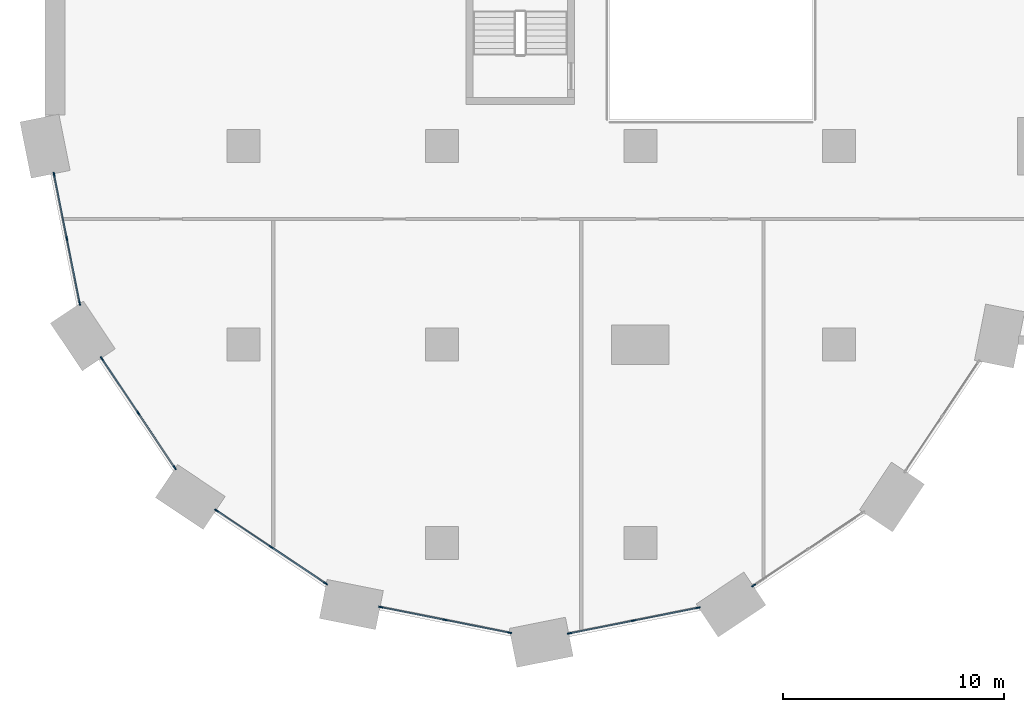
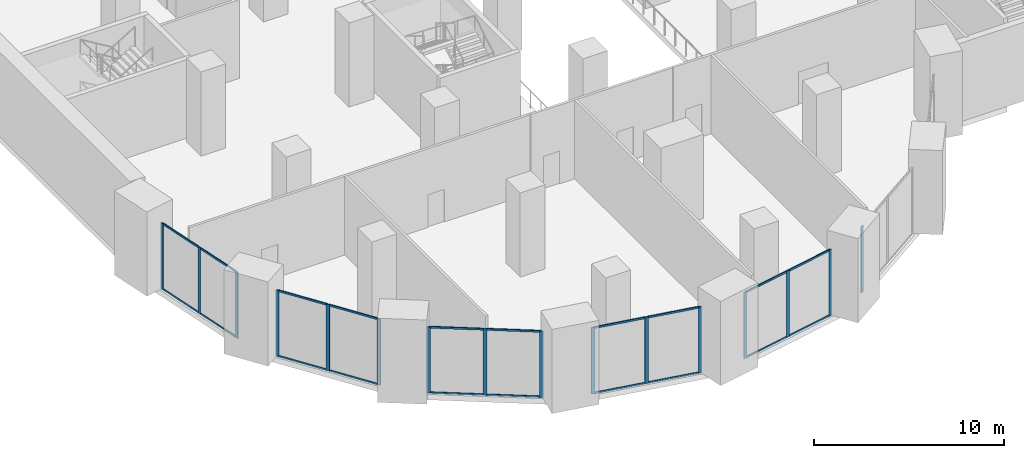
# One storey, part 3 of 43: 36 members, 6 elements without a shape of their own.
"""IFC4 building model written with IfcOpenShell, lengths in metres."""

from ifc_helpers import new_model, si_unit, direction, frame, origin, origin_2d, place, context, subcontext, project, spatial, rectangle, extrude, material, material_profile, profile_set, type_object, element, aggregate, save


model = new_model("IFC4")

# Units and contexts
model_context = context("Model", 3, precision=1e-05, world=origin(), true_north=direction((0.0, 1.0)))
body_context = subcontext(model_context, "Body", "Model", "MODEL_VIEW")
ifc_project = project(units=[si_unit("LENGTHUNIT", "METRE"), si_unit("AREAUNIT", "SQUARE_METRE"), si_unit("VOLUMEUNIT", "CUBIC_METRE"), si_unit("PLANEANGLEUNIT", "RADIAN"), si_unit("MASSUNIT", "GRAM", prefix="KILO")], contexts=[model_context])

# Site, building, storey
site_placement = place(None, origin())
site = spatial("IfcSite", under=ifc_project, at=site_placement, CompositionType="ELEMENT")
building_placement = place(site_placement, origin())
building = spatial("IfcBuilding", under=site, at=building_placement, Name="Hunhe Ridgeline Campus", CompositionType="ELEMENT")
storey_placement = place(building_placement, frame((0.0, 0.0, 11.39990234375)))
storey = spatial("IfcBuildingStorey", under=building, at=storey_placement, Name="L02", CompositionType="ELEMENT", Elevation=11.39990234375)

# Curtain wall, members
ifc_material_1 = material(Name="Aluminium and glass", Category="aluminium")
curtain_wall_type = type_object("IfcCurtainWallType", Name="Podium curtain wall CW-2", PredefinedType="NOTDEFINED", material=ifc_material_1)
curtain_wall_1_placement = place(storey_placement, origin())
curtain_wall_1 = element("IfcCurtainWall", 1, at=curtain_wall_1_placement, inside=storey, type_object=curtain_wall_type, Name="L02 podium curtain wall 9", PredefinedType="NOTDEFINED")
ifc_material_2 = material(Name="Aluminium", Category="aluminium")
ifc_material_profile_1 = material_profile(ifc_material_2, rectangle(XDim=0.06005859375, YDim=0.199951171875, at=origin_2d()))
ifc_profile_set_1 = profile_set([ifc_material_profile_1], Name="Aluminium")
member_type_1 = type_object("IfcMemberType", Name="CW-2 mullion 60x200", PredefinedType="MULLION", material=ifc_profile_set_1)
member_1_placement = place(storey_placement, frame((0.406494140625, 25.724853515625, 0.0), z_axis=(0.0, 0.0, 1.0), x_axis=(0.98078366193, 0.195098458454, 0.0)))
member_1 = element("IfcMember", 2, at=member_1_placement, type_object=member_type_1, Name="CW2 mullion 1", PredefinedType="MULLION", context=body_context, shape_type="SweptSolid", body=[
    extrude(rectangle(XDim=0.06005859375, YDim=0.199951171875, at=origin_2d()), origin(), (0.0, 0.0, 1.0), 4.25),
])
member_2_placement = place(storey_placement, frame((0.987060546875, 22.80712890625, 0.0), z_axis=(0.0, 0.0, 1.0), x_axis=(0.98078366193, 0.195098458454, 0.0)))
member_2 = element("IfcMember", 3, at=member_2_placement, type_object=member_type_1, Name="CW2 mullion 2", PredefinedType="MULLION", context=body_context, shape_type="SweptSolid", body=[
    extrude(rectangle(XDim=0.06005859375, YDim=0.199951171875, at=origin_2d()), origin(), (0.0, 0.0, 1.0), 4.25),
])
member_3_placement = place(storey_placement, frame((1.5673828125, 19.889404296875, 0.0), z_axis=(0.0, 0.0, 1.0), x_axis=(0.98078366193, 0.195098458454, 0.0)))
member_3 = element("IfcMember", 4, at=member_3_placement, type_object=member_type_1, Name="CW2 mullion 3", PredefinedType="MULLION", context=body_context, shape_type="SweptSolid", body=[
    extrude(rectangle(XDim=0.06005859375, YDim=0.199951171875, at=origin_2d()), origin(), (0.0, 0.0, 1.0), 4.25),
])

curtain_wall_2_placement = place(storey_placement, origin())
curtain_wall_2 = element("IfcCurtainWall", 5, at=curtain_wall_2_placement, inside=storey, type_object=curtain_wall_type, Name="L02 podium curtain wall 10", PredefinedType="NOTDEFINED")
member_4_placement = place(storey_placement, frame((2.576416015625, 17.366943359375, 0.0), z_axis=(0.0, 0.0, 1.0), x_axis=(0.831463604177, 0.555579224709, 0.0)))
member_4 = element("IfcMember", 6, at=member_4_placement, type_object=member_type_1, Name="CW2 mullion 1", PredefinedType="MULLION", context=body_context, shape_type="SweptSolid", body=[
    extrude(rectangle(XDim=0.06005859375, YDim=0.199951171875, at=origin_2d()), origin(), (0.0, 0.0, 1.0), 4.25),
])
member_5_placement = place(storey_placement, frame((4.229248046875, 14.8935546875, 0.0), z_axis=(0.0, 0.0, 1.0), x_axis=(0.831463604177, 0.555579224709, 0.0)))
member_5 = element("IfcMember", 7, at=member_5_placement, type_object=member_type_1, Name="CW2 mullion 2", PredefinedType="MULLION", context=body_context, shape_type="SweptSolid", body=[
    extrude(rectangle(XDim=0.06005859375, YDim=0.199951171875, at=origin_2d()), origin(), (0.0, 0.0, 1.0), 4.25),
])
member_6_placement = place(storey_placement, frame((5.8818359375, 12.419921875, 0.0), z_axis=(0.0, 0.0, 1.0), x_axis=(0.831463604177, 0.555579224709, 0.0)))
member_6 = element("IfcMember", 8, at=member_6_placement, type_object=member_type_1, Name="CW2 mullion 3", PredefinedType="MULLION", context=body_context, shape_type="SweptSolid", body=[
    extrude(rectangle(XDim=0.06005859375, YDim=0.199951171875, at=origin_2d()), origin(), (0.0, 0.0, 1.0), 4.25),
])

curtain_wall_3_placement = place(storey_placement, origin())
curtain_wall_3 = element("IfcCurtainWall", 9, at=curtain_wall_3_placement, inside=storey, type_object=curtain_wall_type, Name="L02 podium curtain wall 11", PredefinedType="NOTDEFINED")
member_7_placement = place(storey_placement, frame((7.779296875, 10.475830078125, 0.0), z_axis=(0.0, 0.0, 1.0), x_axis=(0.555571538247, 0.831468740176, 0.0)))
member_7 = element("IfcMember", 10, at=member_7_placement, type_object=member_type_1, Name="CW2 mullion 1", PredefinedType="MULLION", context=body_context, shape_type="SweptSolid", body=[
    extrude(rectangle(XDim=0.06005859375, YDim=0.199951171875, at=origin_2d()), origin(), (0.0, 0.0, 1.0), 4.25),
])
member_8_placement = place(storey_placement, frame((10.252685546875, 8.8232421875, 0.0), z_axis=(0.0, 0.0, 1.0), x_axis=(0.555571538247, 0.831468740176, 0.0)))
member_8 = element("IfcMember", 11, at=member_8_placement, type_object=member_type_1, Name="CW2 mullion 2", PredefinedType="MULLION", context=body_context, shape_type="SweptSolid", body=[
    extrude(rectangle(XDim=0.06005859375, YDim=0.199951171875, at=origin_2d()), origin(), (0.0, 0.0, 1.0), 4.25),
])
member_9_placement = place(storey_placement, frame((12.726318359375, 7.17041015625, 0.0), z_axis=(0.0, 0.0, 1.0), x_axis=(0.555571538247, 0.831468740176, 0.0)))
member_9 = element("IfcMember", 12, at=member_9_placement, type_object=member_type_1, Name="CW2 mullion 3", PredefinedType="MULLION", context=body_context, shape_type="SweptSolid", body=[
    extrude(rectangle(XDim=0.06005859375, YDim=0.199951171875, at=origin_2d()), origin(), (0.0, 0.0, 1.0), 4.25),
])

curtain_wall_4_placement = place(storey_placement, origin())
curtain_wall_4 = element("IfcCurtainWall", 13, at=curtain_wall_4_placement, inside=storey, type_object=curtain_wall_type, Name="L02 podium curtain wall 12", PredefinedType="NOTDEFINED")
member_10_placement = place(storey_placement, frame((15.223388671875, 6.100341796875, 0.0), z_axis=(0.0, 0.0, 1.0), x_axis=(0.195079268527, 0.980787479014, 0.0)))
member_10 = element("IfcMember", 14, at=member_10_placement, type_object=member_type_1, Name="CW2 mullion 1", PredefinedType="MULLION", context=body_context, shape_type="SweptSolid", body=[
    extrude(rectangle(XDim=0.06005859375, YDim=0.199951171875, at=origin_2d()), origin(), (0.0, 0.0, 1.0), 4.25),
])
member_11_placement = place(storey_placement, frame((18.14111328125, 5.52001953125, 0.0), z_axis=(0.0, 0.0, 1.0), x_axis=(0.195079268527, 0.980787479014, 0.0)))
member_11 = element("IfcMember", 15, at=member_11_placement, type_object=member_type_1, Name="CW2 mullion 2", PredefinedType="MULLION", context=body_context, shape_type="SweptSolid", body=[
    extrude(rectangle(XDim=0.06005859375, YDim=0.199951171875, at=origin_2d()), origin(), (0.0, 0.0, 1.0), 4.25),
])
member_12_placement = place(storey_placement, frame((21.058837890625, 4.939697265625, 0.0), z_axis=(0.0, 0.0, 1.0), x_axis=(0.195079268527, 0.980787479014, 0.0)))
member_12 = element("IfcMember", 16, at=member_12_placement, type_object=member_type_1, Name="CW2 mullion 3", PredefinedType="MULLION", context=body_context, shape_type="SweptSolid", body=[
    extrude(rectangle(XDim=0.06005859375, YDim=0.199951171875, at=origin_2d()), origin(), (0.0, 0.0, 1.0), 4.25),
])

curtain_wall_5_placement = place(storey_placement, origin())
curtain_wall_5 = element("IfcCurtainWall", 17, at=curtain_wall_5_placement, inside=storey, type_object=curtain_wall_type, Name="L02 podium curtain wall 13", PredefinedType="NOTDEFINED")
member_13_placement = place(storey_placement, frame((23.775146484375, 4.906494140625, 0.0), z_axis=(0.0, 0.0, 1.0), x_axis=(-0.195098458454, 0.98078366193, 0.0)))
member_13 = element("IfcMember", 18, at=member_13_placement, type_object=member_type_1, Name="CW2 mullion 1", PredefinedType="MULLION", context=body_context, shape_type="SweptSolid", body=[
    extrude(rectangle(XDim=0.06005859375, YDim=0.199951171875, at=origin_2d()), origin(), (0.0, 0.0, 1.0), 4.25),
])
member_14_placement = place(storey_placement, frame((26.69287109375, 5.487060546875, 0.0), z_axis=(0.0, 0.0, 1.0), x_axis=(-0.195098458454, 0.98078366193, 0.0)))
member_14 = element("IfcMember", 19, at=member_14_placement, type_object=member_type_1, Name="CW2 mullion 2", PredefinedType="MULLION", context=body_context, shape_type="SweptSolid", body=[
    extrude(rectangle(XDim=0.06005859375, YDim=0.199951171875, at=origin_2d()), origin(), (0.0, 0.0, 1.0), 4.25),
])
member_15_placement = place(storey_placement, frame((29.610595703125, 6.0673828125, 0.0), z_axis=(0.0, 0.0, 1.0), x_axis=(-0.195098458454, 0.98078366193, 0.0)))
member_15 = element("IfcMember", 20, at=member_15_placement, type_object=member_type_1, Name="CW2 mullion 3", PredefinedType="MULLION", context=body_context, shape_type="SweptSolid", body=[
    extrude(rectangle(XDim=0.06005859375, YDim=0.199951171875, at=origin_2d()), origin(), (0.0, 0.0, 1.0), 4.25),
])

# Curtain wall, member
curtain_wall_6_placement = place(storey_placement, origin())
curtain_wall_6 = element("IfcCurtainWall", 21, at=curtain_wall_6_placement, inside=storey, type_object=curtain_wall_type, Name="L02 podium curtain wall 14", PredefinedType="NOTDEFINED")
member_16_placement = place(storey_placement, frame((32.133056640625, 7.076416015625, 0.0), z_axis=(0.0, 0.0, 1.0), x_axis=(-0.555579224709, 0.831463604177, 0.0)))
member_16 = element("IfcMember", 22, at=member_16_placement, type_object=member_type_1, Name="CW2 mullion 1", PredefinedType="MULLION", context=body_context, shape_type="SweptSolid", body=[
    extrude(rectangle(XDim=0.06005859375, YDim=0.199951171875, at=origin_2d()), origin(), (0.0, 0.0, 1.0), 4.25),
])
aggregate(curtain_wall_6, [member_16])

# Member
ifc_material_profile_2 = material_profile(ifc_material_2, rectangle(XDim=0.06005859375, YDim=0.1201171875, at=origin_2d()))
ifc_profile_set_2 = profile_set([ifc_material_profile_2], Name="Aluminium")
member_type_2 = type_object("IfcMemberType", Name="CW-2 transom 60x120", PredefinedType="USERDEFINED", material=ifc_profile_set_2)
member_17_placement = place(storey_placement, frame((0.412353515625, 25.6953125, 0.030029296875), z_axis=(0.195149633653, -0.980773480721, 0.0), x_axis=(0.980773480721, 0.195149633653, 0.0)))
member_17 = element("IfcMember", 23, at=member_17_placement, type_object=member_type_2, Name="CW2 transom 1.1", ObjectType="TRANSOM", PredefinedType="USERDEFINED", context=body_context, shape_type="SweptSolid", body=[
    extrude(rectangle(XDim=0.06005859375, YDim=0.1201171875, at=origin_2d()), origin(), (0.0, 0.0, 1.0), 2.9150390625),
])

member_18_placement = place(storey_placement, frame((0.412353515625, 25.6953125, 4.22021484375), z_axis=(0.195149633653, -0.980773480721, 0.0), x_axis=(0.980773480721, 0.195149633653, 0.0)))
member_18 = element("IfcMember", 24, at=member_18_placement, type_object=member_type_2, Name="CW2 transom 1.2", ObjectType="TRANSOM", PredefinedType="USERDEFINED", context=body_context, shape_type="SweptSolid", body=[
    extrude(rectangle(XDim=0.06005859375, YDim=0.1201171875, at=origin_2d()), origin(), (0.0, 0.0, 1.0), 2.9150390625),
])

member_19_placement = place(storey_placement, frame((0.992919921875, 22.777587890625, 0.030029296875), z_axis=(0.195069066152, -0.980789508218, 0.0), x_axis=(0.980789508218, 0.195069066152, 0.0)))
member_19 = element("IfcMember", 25, at=member_19_placement, type_object=member_type_2, Name="CW2 transom 2.1", ObjectType="TRANSOM", PredefinedType="USERDEFINED", context=body_context, shape_type="SweptSolid", body=[
    extrude(rectangle(XDim=0.06005859375, YDim=0.1201171875, at=origin_2d()), origin(), (0.0, 0.0, 1.0), 2.914794921875),
])

member_20_placement = place(storey_placement, frame((0.992919921875, 22.777587890625, 4.22021484375), z_axis=(0.195069066152, -0.980789508218, 0.0), x_axis=(0.980789508218, 0.195069066152, 0.0)))
member_20 = element("IfcMember", 26, at=member_20_placement, type_object=member_type_2, Name="CW2 transom 2.2", ObjectType="TRANSOM", PredefinedType="USERDEFINED", context=body_context, shape_type="SweptSolid", body=[
    extrude(rectangle(XDim=0.06005859375, YDim=0.1201171875, at=origin_2d()), origin(), (0.0, 0.0, 1.0), 2.914794921875),
])

aggregate(curtain_wall_1, [member_1, member_2, member_3, member_17, member_18, member_19, member_20])

member_21_placement = place(storey_placement, frame((2.593017578125, 17.342041015625, 0.030029296875), z_axis=(0.55556969226, -0.831469973626, 0.0), x_axis=(0.831469973626, 0.55556969226, 0.0)))
member_21 = element("IfcMember", 27, at=member_21_placement, type_object=member_type_2, Name="CW2 transom 1.1", ObjectType="TRANSOM", PredefinedType="USERDEFINED", context=body_context, shape_type="SweptSolid", body=[
    extrude(rectangle(XDim=0.06005859375, YDim=0.1201171875, at=origin_2d()), origin(), (0.0, 0.0, 1.0), 2.914794921875),
])

member_22_placement = place(storey_placement, frame((2.593017578125, 17.342041015625, 4.22021484375), z_axis=(0.55556969226, -0.831469973626, 0.0), x_axis=(0.831469973626, 0.55556969226, 0.0)))
member_22 = element("IfcMember", 28, at=member_22_placement, type_object=member_type_2, Name="CW2 transom 1.2", ObjectType="TRANSOM", PredefinedType="USERDEFINED", context=body_context, shape_type="SweptSolid", body=[
    extrude(rectangle(XDim=0.06005859375, YDim=0.1201171875, at=origin_2d()), origin(), (0.0, 0.0, 1.0), 2.914794921875),
])

member_23_placement = place(storey_placement, frame((4.245849609375, 14.86865234375, 0.030029296875), z_axis=(0.55556969226, -0.831469973626, 0.0), x_axis=(0.831469973626, 0.55556969226, 0.0)))
member_23 = element("IfcMember", 29, at=member_23_placement, type_object=member_type_2, Name="CW2 transom 2.1", ObjectType="TRANSOM", PredefinedType="USERDEFINED", context=body_context, shape_type="SweptSolid", body=[
    extrude(rectangle(XDim=0.06005859375, YDim=0.1201171875, at=origin_2d()), origin(), (0.0, 0.0, 1.0), 2.914794921875),
])

member_24_placement = place(storey_placement, frame((4.245849609375, 14.86865234375, 4.22021484375), z_axis=(0.55556969226, -0.831469973626, 0.0), x_axis=(0.831469973626, 0.55556969226, 0.0)))
member_24 = element("IfcMember", 30, at=member_24_placement, type_object=member_type_2, Name="CW2 transom 2.2", ObjectType="TRANSOM", PredefinedType="USERDEFINED", context=body_context, shape_type="SweptSolid", body=[
    extrude(rectangle(XDim=0.06005859375, YDim=0.1201171875, at=origin_2d()), origin(), (0.0, 0.0, 1.0), 2.914794921875),
])

aggregate(curtain_wall_2, [member_4, member_5, member_6, member_21, member_22, member_23, member_24])

member_25_placement = place(storey_placement, frame((7.80419921875, 10.459228515625, 0.030029296875), z_axis=(0.831469973626, -0.55556969226, 0.0), x_axis=(0.55556969226, 0.831469973626, 0.0)))
member_25 = element("IfcMember", 31, at=member_25_placement, type_object=member_type_2, Name="CW2 transom 1.1", ObjectType="TRANSOM", PredefinedType="USERDEFINED", context=body_context, shape_type="SweptSolid", body=[
    extrude(rectangle(XDim=0.06005859375, YDim=0.1201171875, at=origin_2d()), origin(), (0.0, 0.0, 1.0), 2.914794921875),
])

member_26_placement = place(storey_placement, frame((7.80419921875, 10.459228515625, 4.22021484375), z_axis=(0.831469973626, -0.55556969226, 0.0), x_axis=(0.55556969226, 0.831469973626, 0.0)))
member_26 = element("IfcMember", 32, at=member_26_placement, type_object=member_type_2, Name="CW2 transom 1.2", ObjectType="TRANSOM", PredefinedType="USERDEFINED", context=body_context, shape_type="SweptSolid", body=[
    extrude(rectangle(XDim=0.06005859375, YDim=0.1201171875, at=origin_2d()), origin(), (0.0, 0.0, 1.0), 2.914794921875),
])

member_27_placement = place(storey_placement, frame((10.27783203125, 8.806396484375, 0.030029296875), z_axis=(0.831469973626, -0.55556969226, 0.0), x_axis=(0.55556969226, 0.831469973626, 0.0)))
member_27 = element("IfcMember", 33, at=member_27_placement, type_object=member_type_2, Name="CW2 transom 2.1", ObjectType="TRANSOM", PredefinedType="USERDEFINED", context=body_context, shape_type="SweptSolid", body=[
    extrude(rectangle(XDim=0.06005859375, YDim=0.1201171875, at=origin_2d()), origin(), (0.0, 0.0, 1.0), 2.914794921875),
])

member_28_placement = place(storey_placement, frame((10.27783203125, 8.806396484375, 4.22021484375), z_axis=(0.831469973626, -0.55556969226, 0.0), x_axis=(0.55556969226, 0.831469973626, 0.0)))
member_28 = element("IfcMember", 34, at=member_28_placement, type_object=member_type_2, Name="CW2 transom 2.2", ObjectType="TRANSOM", PredefinedType="USERDEFINED", context=body_context, shape_type="SweptSolid", body=[
    extrude(rectangle(XDim=0.06005859375, YDim=0.1201171875, at=origin_2d()), origin(), (0.0, 0.0, 1.0), 2.914794921875),
])

aggregate(curtain_wall_3, [member_7, member_8, member_9, member_25, member_26, member_27, member_28])

member_29_placement = place(storey_placement, frame((15.252685546875, 6.094482421875, 0.030029296875), z_axis=(0.980789508218, -0.195069066152, 0.0), x_axis=(0.195069066152, 0.980789508218, 0.0)))
member_29 = element("IfcMember", 35, at=member_29_placement, type_object=member_type_2, Name="CW2 transom 1.1", ObjectType="TRANSOM", PredefinedType="USERDEFINED", context=body_context, shape_type="SweptSolid", body=[
    extrude(rectangle(XDim=0.06005859375, YDim=0.1201171875, at=origin_2d()), origin(), (0.0, 0.0, 1.0), 2.914794921875),
])

member_30_placement = place(storey_placement, frame((15.252685546875, 6.094482421875, 4.22021484375), z_axis=(0.980789508218, -0.195069066152, 0.0), x_axis=(0.195069066152, 0.980789508218, 0.0)))
member_30 = element("IfcMember", 36, at=member_30_placement, type_object=member_type_2, Name="CW2 transom 1.2", ObjectType="TRANSOM", PredefinedType="USERDEFINED", context=body_context, shape_type="SweptSolid", body=[
    extrude(rectangle(XDim=0.06005859375, YDim=0.1201171875, at=origin_2d()), origin(), (0.0, 0.0, 1.0), 2.914794921875),
])

member_31_placement = place(storey_placement, frame((18.17041015625, 5.51416015625, 0.030029296875), z_axis=(0.980792694926, -0.195053042992, 0.0), x_axis=(0.195053042992, 0.980792694926, 0.0)))
member_31 = element("IfcMember", 37, at=member_31_placement, type_object=member_type_2, Name="CW2 transom 2.1", ObjectType="TRANSOM", PredefinedType="USERDEFINED", context=body_context, shape_type="SweptSolid", body=[
    extrude(rectangle(XDim=0.06005859375, YDim=0.1201171875, at=origin_2d()), origin(), (0.0, 0.0, 1.0), 2.9150390625),
])

member_32_placement = place(storey_placement, frame((18.17041015625, 5.51416015625, 4.22021484375), z_axis=(0.980792694926, -0.195053042992, 0.0), x_axis=(0.195053042992, 0.980792694926, 0.0)))
member_32 = element("IfcMember", 38, at=member_32_placement, type_object=member_type_2, Name="CW2 transom 2.2", ObjectType="TRANSOM", PredefinedType="USERDEFINED", context=body_context, shape_type="SweptSolid", body=[
    extrude(rectangle(XDim=0.06005859375, YDim=0.1201171875, at=origin_2d()), origin(), (0.0, 0.0, 1.0), 2.9150390625),
])

aggregate(curtain_wall_4, [member_10, member_11, member_12, member_29, member_30, member_31, member_32])

member_33_placement = place(storey_placement, frame((23.8046875, 4.912353515625, 0.030029296875), z_axis=(0.980773480721, 0.195149633653, 0.0), x_axis=(-0.195149633653, 0.980773480721, 0.0)))
member_33 = element("IfcMember", 39, at=member_33_placement, type_object=member_type_2, Name="CW2 transom 1.1", ObjectType="TRANSOM", PredefinedType="USERDEFINED", context=body_context, shape_type="SweptSolid", body=[
    extrude(rectangle(XDim=0.06005859375, YDim=0.1201171875, at=origin_2d()), origin(), (0.0, 0.0, 1.0), 2.9150390625),
])

member_34_placement = place(storey_placement, frame((23.8046875, 4.912353515625, 4.22021484375), z_axis=(0.980773480721, 0.195149633653, 0.0), x_axis=(-0.195149633653, 0.980773480721, 0.0)))
member_34 = element("IfcMember", 40, at=member_34_placement, type_object=member_type_2, Name="CW2 transom 1.2", ObjectType="TRANSOM", PredefinedType="USERDEFINED", context=body_context, shape_type="SweptSolid", body=[
    extrude(rectangle(XDim=0.06005859375, YDim=0.1201171875, at=origin_2d()), origin(), (0.0, 0.0, 1.0), 2.9150390625),
])

member_35_placement = place(storey_placement, frame((26.722412109375, 5.492919921875, 0.030029296875), z_axis=(0.980789508218, 0.195069066152, 0.0), x_axis=(-0.195069066152, 0.980789508218, 0.0)))
member_35 = element("IfcMember", 41, at=member_35_placement, type_object=member_type_2, Name="CW2 transom 2.1", ObjectType="TRANSOM", PredefinedType="USERDEFINED", context=body_context, shape_type="SweptSolid", body=[
    extrude(rectangle(XDim=0.06005859375, YDim=0.1201171875, at=origin_2d()), origin(), (0.0, 0.0, 1.0), 2.914794921875),
])

member_36_placement = place(storey_placement, frame((26.722412109375, 5.492919921875, 4.22021484375), z_axis=(0.980789508218, 0.195069066152, 0.0), x_axis=(-0.195069066152, 0.980789508218, 0.0)))
member_36 = element("IfcMember", 42, at=member_36_placement, type_object=member_type_2, Name="CW2 transom 2.2", ObjectType="TRANSOM", PredefinedType="USERDEFINED", context=body_context, shape_type="SweptSolid", body=[
    extrude(rectangle(XDim=0.06005859375, YDim=0.1201171875, at=origin_2d()), origin(), (0.0, 0.0, 1.0), 2.914794921875),
])

aggregate(curtain_wall_5, [member_13, member_14, member_15, member_33, member_34, member_35, member_36])

save(model, "model.ifc")
